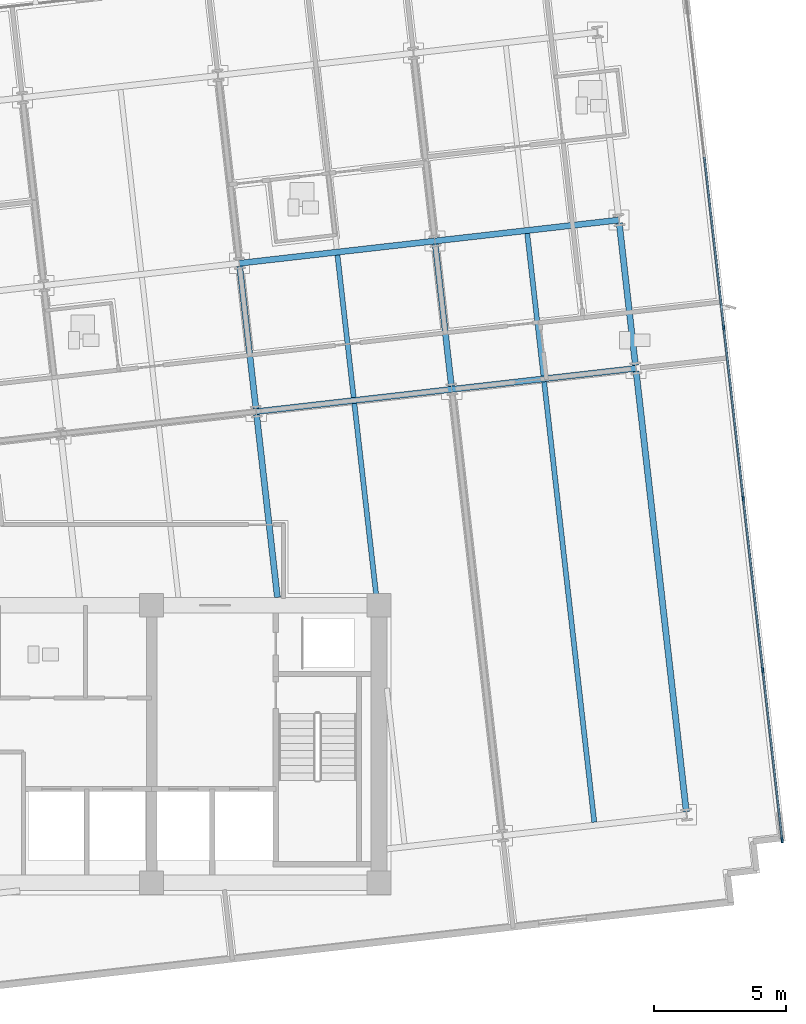
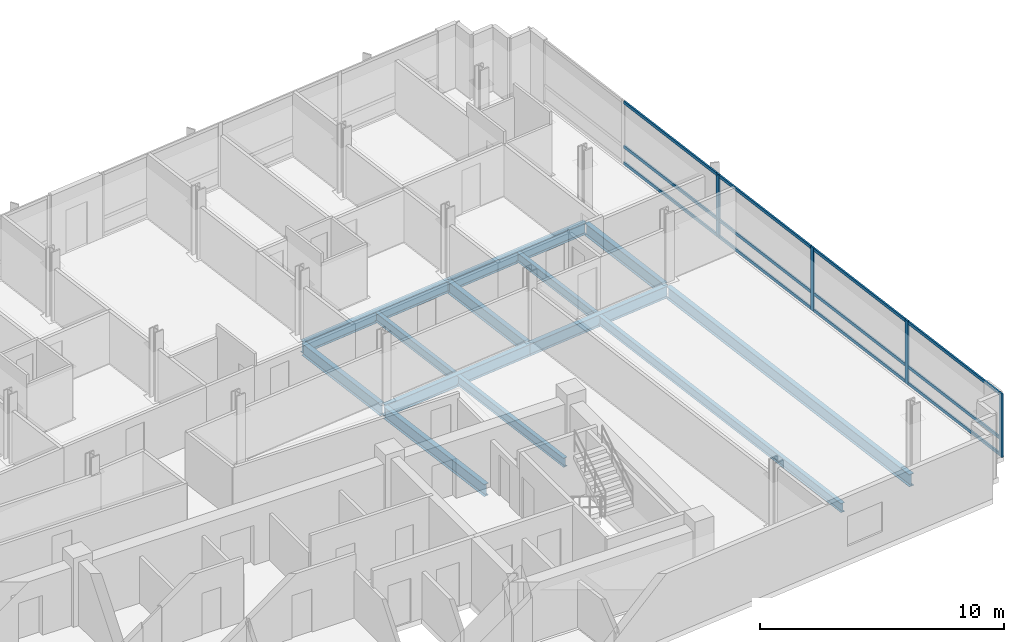
# One storey, part 4 of 17: 16 members, 13 beams, 1 element without a shape of its own.
"""IFC4 building model written with IfcOpenShell, lengths in metres."""

import ifcopenshell
import ifcopenshell.guid

model = None  # the IFC model being written
_history = None  # IfcOwnerHistory: only IFC2X3 demands one
_inside = {}  # id of a spatial element -> (the spatial element, [elements in it])
_under = {}  # id of a project, library or spatial element -> (it, [spatial elements below it])
_declared = {}  # id of a project -> (the project, [libraries it declares])
_typed = {}  # id of a type object -> (the type object, [elements of that type])
_made_of = {}  # id of a material, layer set ... -> (it, [elements and type objects made of it])


def new_model(schema):
    """Start an empty IFC model of exactly this schema.

    Asked for "IFC4X3", IfcOpenShell would pick the latest addendum, in which some entities
    have other attributes; the version numbers below select the first issue.
    IFC2X3 requires an IfcOwnerHistory on every rooted entity: one is made here for all.
    """
    global model, _history
    if schema == "IFC4X3":
        model = ifcopenshell.file(schema_version=(4, 3, 0, 0))
    else:
        model = ifcopenshell.file(schema=schema)
    _inside.clear()
    _under.clear()
    _declared.clear()
    _typed.clear()
    _made_of.clear()
    _history = None
    if model.schema == "IFC2X3":
        org = make("IfcOrganization", Name="unknown")
        user = make(
            "IfcPersonAndOrganization",
            ThePerson=make("IfcPerson", FamilyName="unknown"),
            TheOrganization=org,
        )
        app = make(
            "IfcApplication",
            ApplicationDeveloper=org,
            Version="unknown",
            ApplicationFullName="unknown",
            ApplicationIdentifier="unknown",
        )
        _history = make(
            "IfcOwnerHistory",
            OwningUser=user,
            OwningApplication=app,
            ChangeAction="ADDED",
            CreationDate=0,
        )
    return model


def make(cls, **values):
    """One entity of the class cls with the attributes given. An attribute that is None is left unset."""
    return model.create_entity(
        cls, **{name: value for name, value in values.items() if value is not None}
    )


def rooted(cls, **values):
    """An entity with a GlobalId (a new one), such as an element, a storey or a relation."""
    return make(cls, GlobalId=ifcopenshell.guid.new(), OwnerHistory=_history, **values)


def si_unit(unit_type, name, prefix=None):
    """IfcSIUnit, for example si_unit("LENGTHUNIT", "METRE", prefix="MILLI")."""
    return make("IfcSIUnit", UnitType=unit_type, Prefix=prefix, Name=name)


def assignment(units):
    """IfcUnitAssignment: the units of a project."""
    return None if units is None else make("IfcUnitAssignment", Units=units)


def point(xyz):
    """IfcCartesianPoint."""
    return None if xyz is None else make("IfcCartesianPoint", Coordinates=xyz)


def direction(xyz):
    """IfcDirection."""
    return None if xyz is None else make("IfcDirection", DirectionRatios=xyz)


def frame(location, z_axis=None, x_axis=None):
    """IfcAxis2Placement3D, a coordinate frame: its origin and axes. An axis left out is left unset."""
    return make(
        "IfcAxis2Placement3D",
        Location=point(location),
        Axis=direction(z_axis),
        RefDirection=direction(x_axis),
    )


def frame_2d(location, x_axis=None):
    """IfcAxis2Placement2D, a coordinate frame in the plane: its origin and x axis."""
    return make(
        "IfcAxis2Placement2D", Location=point(location), RefDirection=direction(x_axis)
    )


def origin():
    """The frame at (0, 0, 0) with its axes left unset."""
    return frame((0.0, 0.0, 0.0))


def origin_2d():
    """The frame at (0, 0) in the plane with its x axis left unset."""
    return frame_2d((0.0, 0.0))


def place(relative_to, where):
    """IfcLocalPlacement: puts the frame where relative to a parent placement (None: the world)."""
    return make(
        "IfcLocalPlacement", PlacementRelTo=relative_to, RelativePlacement=where
    )


def context(
    kind, dimensions, precision=None, world=None, true_north=None, identifier=None
):
    """IfcGeometricRepresentationContext, for example the 3D "Model" context."""
    return make(
        "IfcGeometricRepresentationContext",
        ContextIdentifier=identifier,
        ContextType=kind,
        CoordinateSpaceDimension=dimensions,
        Precision=precision,
        WorldCoordinateSystem=world,
        TrueNorth=true_north,
    )


def subcontext(parent, identifier, kind, view, scale=None):
    """IfcGeometricRepresentationSubContext, for example "Body" below "Model"."""
    return make(
        "IfcGeometricRepresentationSubContext",
        ContextIdentifier=identifier,
        ContextType=kind,
        ParentContext=parent,
        TargetScale=scale,
        TargetView=view,
    )


def project(units=None, contexts=None):
    """IfcProject with its units and contexts."""
    return rooted(
        "IfcProject",
        Name="project",
        RepresentationContexts=contexts,
        UnitsInContext=assignment(units),
    )


def spatial(cls, under=None, at=None, **own):
    """A site, building, storey or space (cls), placed at a placement, below another one or the project."""
    s = rooted(cls, ObjectPlacement=at, **own)
    if under is not None:
        _under.setdefault(under.id(), (under, []))[1].append(s)
    return s


def profile(cls, at=None, kind="AREA", **sizes):
    """A parametric profile (cls). Its sizes go by their IFC names, for example OverallWidth=200.0."""
    return make(cls, ProfileType=kind, Position=at, **sizes)


def rectangle(**sizes):
    """IfcRectangleProfileDef."""
    return profile("IfcRectangleProfileDef", **sizes)


def i_section(**sizes):
    """IfcIShapeProfileDef."""
    return profile("IfcIShapeProfileDef", **sizes)


def extrude(swept, where, along, depth):
    """IfcExtrudedAreaSolid: the profile swept, set in the frame where, extruded along a direction by depth."""
    return make(
        "IfcExtrudedAreaSolid",
        SweptArea=swept,
        Position=where,
        ExtrudedDirection=direction(along),
        Depth=depth,
    )


def shape(context_of_items, identifier, shape_type, items):
    """IfcShapeRepresentation: the items that make up one representation, for example the "Body"."""
    return make(
        "IfcShapeRepresentation",
        ContextOfItems=context_of_items,
        RepresentationIdentifier=identifier,
        RepresentationType=shape_type,
        Items=items,
    )


def material(Name=None, Category=None):
    """IfcMaterial."""
    return make("IfcMaterial", Name=Name, Category=Category)


def material_profile(
    of_material, cross_section, Name=None, Category=None, Priority=None
):
    """IfcMaterialProfile: a cross section and its material."""
    return make(
        "IfcMaterialProfile",
        Name=Name,
        Material=of_material,
        Profile=cross_section,
        Priority=Priority,
        Category=Category,
    )


def profile_set(profiles, Name=None, composite=None):
    """IfcMaterialProfileSet."""
    return make(
        "IfcMaterialProfileSet",
        Name=Name,
        MaterialProfiles=profiles,
        CompositeProfile=composite,
    )


def made_of(thing, what):
    """Note that an element or type object is made of a material, layer set ...; save() writes the relation."""
    if what is not None:
        _made_of.setdefault(what.id(), (what, []))[1].append(thing)
    return thing


def type_object(cls, material=None, **own):
    """A type object (cls), such as IfcWallType, which elements share."""
    return made_of(rooted(cls, **own), material)


def element(
    cls,
    number,
    at=None,
    inside=None,
    cuts=None,
    type_object=None,
    material=None,
    context=None,
    identifier="Body",
    shape_type=None,
    held_by="IfcProductDefinitionShape",
    body=None,
    shapes=None,
    **own,
):
    """One element of the class cls, such as IfcWall. Its Tag is "e" and its number.

    at: its placement. inside: the storey or other place that contains it. cuts: it is an
    opening in that element (IfcRelVoidsElement). A single representation is given by context,
    identifier, shape_type and body (its items); several are given by shapes. held_by: the class
    of the entity that holds the representations. save() writes the other relations.
    """
    e = rooted(cls, Tag="e%d" % number, ObjectPlacement=at, **own)
    if body is not None:
        shapes = [shape(context, identifier, shape_type, body)]
    if shapes is not None:
        e.Representation = make(held_by, Representations=shapes)
    if inside is not None:
        _inside.setdefault(inside.id(), (inside, []))[1].append(e)
    if cuts is not None:
        rooted(
            "IfcRelVoidsElement", RelatingBuildingElement=cuts, RelatedOpeningElement=e
        )
    if type_object is not None:
        _typed.setdefault(type_object.id(), (type_object, []))[1].append(e)
    return made_of(e, material)


def aggregate(whole, parts):
    """IfcRelAggregates: a whole, such as a stair, and the parts it consists of."""
    return rooted("IfcRelAggregates", RelatingObject=whole, RelatedObjects=parts)


def save(model, path):
    """Write the relations noted so far, then the file.

    IfcRelAggregates (storeys below a building ...), IfcRelContainedInSpatialStructure (elements
    in a storey), IfcRelDefinesByType, IfcRelAssociatesMaterial and IfcRelDeclares: one each for
    every whole, place, type object, material and project.
    """
    for whole, parts in _under.values():
        aggregate(whole, parts)
    for where, things in _inside.values():
        rooted(
            "IfcRelContainedInSpatialStructure",
            RelatedElements=things,
            RelatingStructure=where,
        )
    for kind, things in _typed.values():
        rooted("IfcRelDefinesByType", RelatedObjects=things, RelatingType=kind)
    for what, things in _made_of.values():
        rooted("IfcRelAssociatesMaterial", RelatedObjects=things, RelatingMaterial=what)
    for by, libraries in _declared.values():
        rooted("IfcRelDeclares", RelatingContext=by, RelatedDefinitions=libraries)
    model.write(path)


model = new_model("IFC4")

# Units and contexts
model_context = context("Model", 3, precision=1e-05, world=origin(), true_north=direction((0.0, 1.0)))
body_context = subcontext(model_context, "Body", "Model", "MODEL_VIEW")
ifc_project = project(units=[si_unit("LENGTHUNIT", "METRE"), si_unit("AREAUNIT", "SQUARE_METRE"), si_unit("VOLUMEUNIT", "CUBIC_METRE"), si_unit("PLANEANGLEUNIT", "RADIAN"), si_unit("MASSUNIT", "GRAM", prefix="KILO")], contexts=[model_context])

# Site, building, storey
site_placement = place(None, origin())
site = spatial("IfcSite", under=ifc_project, at=site_placement, CompositionType="ELEMENT")
building_placement = place(site_placement, origin())
building = spatial("IfcBuilding", under=site, at=building_placement, Name="Solmavex Isthmus Hotel", CompositionType="ELEMENT")
storey_placement = place(building_placement, frame((0.0, 0.0, 198.60009765625)))
storey = spatial("IfcBuildingStorey", under=building, at=storey_placement, Name="L53", CompositionType="ELEMENT", Elevation=198.60009765625)

# Beams
ifc_material_1 = material(Name="Steel ASTM A992 Grade 50", Category="steel")
ifc_material_profile_1 = material_profile(ifc_material_1, i_section(OverallWidth=0.1904296875, OverallDepth=0.456787109375, WebThickness=0.009033203125, FlangeThickness=0.014404296875, FilletRadius=0.0126953125, at=origin_2d()), Name="W18X50")
ifc_profile_set_1 = profile_set([ifc_material_profile_1], Name="Steel ASTM A992 Grade 50")
beam_type_1 = type_object("IfcBeamType", Name="BM-BJ-W18X50", PredefinedType="JOIST", material=ifc_profile_set_1)
beam_1_placement = place(storey_placement, frame((15.908447265625, -2.199951171875, -0.488525390625), z_axis=(-0.113224925382, 0.99356938171, 0.0), x_axis=(-0.99356938171, -0.113224925382, 0.0)))
element("IfcBeam", 1, at=beam_1_placement, inside=storey, type_object=beam_type_1, Name="Secondary Floor Joist L53-J16", PredefinedType="JOIST", context=body_context, shape_type="SweptSolid", body=[
    extrude(i_section(OverallWidth=0.1904296875, OverallDepth=0.456787109375, WebThickness=0.009033203125, FlangeThickness=0.014404296875, FilletRadius=0.0126953125, at=origin_2d()), origin(), (0.0, 0.0, 1.0), 7.38525390625),
])
beam_2_placement = place(storey_placement, frame((15.046630859375, 5.364013671875, -0.488525390625), z_axis=(-0.113189626161, 0.993573403695, 0.0), x_axis=(-0.993573403695, -0.113189626161, 0.0)))
element("IfcBeam", 2, at=beam_2_placement, inside=storey, type_object=beam_type_1, Name="Secondary Floor Joist L53-J17", PredefinedType="JOIST", context=body_context, shape_type="SweptSolid", body=[
    extrude(i_section(OverallWidth=0.1904296875, OverallDepth=0.456787109375, WebThickness=0.009033203125, FlangeThickness=0.014404296875, FilletRadius=0.0126953125, at=origin_2d()), origin(), (0.0, 0.0, 1.0), 5.42041015625),
])
beam_3_placement = place(storey_placement, frame((24.1513671875, -10.707275390625, -0.488525390625), z_axis=(-0.113198426291, 0.993572401129, 0.0), x_axis=(-0.993572401129, -0.113198426291, 0.0)))
element("IfcBeam", 3, at=beam_3_placement, inside=storey, type_object=beam_type_1, Name="Secondary Floor Joist L53-J19", PredefinedType="JOIST", context=body_context, shape_type="SweptSolid", body=[
    extrude(i_section(OverallWidth=0.1904296875, OverallDepth=0.456787109375, WebThickness=0.009033203125, FlangeThickness=0.014404296875, FilletRadius=0.0126953125, at=origin_2d()), origin(), (0.0, 0.0, 1.0), 16.77099609375),
])
beam_4_placement = place(storey_placement, frame((22.22705078125, 6.18212890625, -0.488525390625), z_axis=(-0.113189626161, 0.993573403695, 0.0), x_axis=(-0.993573403695, -0.113189626161, 0.0)))
element("IfcBeam", 4, at=beam_4_placement, inside=storey, type_object=beam_type_1, Name="Secondary Floor Joist L53-J20", PredefinedType="JOIST", context=body_context, shape_type="SweptSolid", body=[
    extrude(i_section(OverallWidth=0.1904296875, OverallDepth=0.456787109375, WebThickness=0.009033203125, FlangeThickness=0.014404296875, FilletRadius=0.0126953125, at=origin_2d()), origin(), (0.0, 0.0, 1.0), 5.42041015625),
])
ifc_material_profile_2 = material_profile(ifc_material_1, i_section(OverallWidth=0.227783203125, OverallDepth=0.602783203125, WebThickness=0.010498046875, FlangeThickness=0.014892578125, FilletRadius=0.01513671875, at=origin_2d()), Name="W24X68")
ifc_profile_set_2 = profile_set([ifc_material_profile_2], Name="Steel ASTM A992 Grade 50")
beam_type_2 = type_object("IfcBeamType", Name="BM-BM-W24X68", PredefinedType="BEAM", material=ifc_profile_set_2)
beam_5_placement = place(storey_placement, frame((11.3603515625, 4.829345703125, -0.5615234375), z_axis=(0.9935703463, 0.113216460607, 0.0), x_axis=(-0.113216460607, 0.9935703463, 0.0)))
element("IfcBeam", 5, at=beam_5_placement, inside=storey, type_object=beam_type_2, Name="Floor Girder L53-UG10", PredefinedType="BEAM", context=body_context, shape_type="SweptSolid", body=[
    extrude(i_section(OverallWidth=0.227783203125, OverallDepth=0.602783203125, WebThickness=0.010498046875, FlangeThickness=0.014892578125, FilletRadius=0.01513671875, at=origin_2d()), origin(), (0.0, 0.0, 1.0), 7.446044921875),
])
beam_6_placement = place(storey_placement, frame((18.758544921875, 5.67236328125, -0.5615234375), z_axis=(0.99357359356, 0.113187959519, 0.0), x_axis=(-0.113187959519, 0.99357359356, 0.0)))
element("IfcBeam", 6, at=beam_6_placement, inside=storey, type_object=beam_type_2, Name="Floor Girder L53-UG11", PredefinedType="BEAM", context=body_context, shape_type="SweptSolid", body=[
    extrude(i_section(OverallWidth=0.227783203125, OverallDepth=0.602783203125, WebThickness=0.010498046875, FlangeThickness=0.014892578125, FilletRadius=0.01513671875, at=origin_2d()), origin(), (0.0, 0.0, 1.0), 7.0078125),
])
beam_7_placement = place(storey_placement, frame((10.720947265625, 10.441162109375, -0.5615234375), z_axis=(0.993574034044, 0.113184092846, 0.0), x_axis=(-0.113184092846, 0.993574034044, 0.0)))
element("IfcBeam", 7, at=beam_7_placement, inside=storey, type_object=beam_type_2, Name="Floor Girder L53-UG16", PredefinedType="BEAM", context=body_context, shape_type="SweptSolid", body=[
    extrude(i_section(OverallWidth=0.227783203125, OverallDepth=0.602783203125, WebThickness=0.010498046875, FlangeThickness=0.014892578125, FilletRadius=0.01513671875, at=origin_2d()), origin(), (0.0, 0.0, 1.0), 7.446044921875),
])
beam_8_placement = place(storey_placement, frame((18.119140625, 11.283935546875, -0.5615234375), z_axis=(0.993569675103, 0.113222350774, 0.0), x_axis=(-0.113222350774, 0.993569675103, 0.0)))
element("IfcBeam", 8, at=beam_8_placement, inside=storey, type_object=beam_type_2, Name="Floor Girder L53-UG17", PredefinedType="BEAM", context=body_context, shape_type="SweptSolid", body=[
    extrude(i_section(OverallWidth=0.227783203125, OverallDepth=0.602783203125, WebThickness=0.010498046875, FlangeThickness=0.014892578125, FilletRadius=0.01513671875, at=origin_2d()), origin(), (0.0, 0.0, 1.0), 7.008056640625),
])
beam_9_placement = place(storey_placement, frame((12.161376953125, -2.199951171875, -0.5615234375), z_axis=(-0.113214229187, 0.993570600566, 0.0), x_axis=(-0.993570600566, -0.113214229187, 0.0)))
element("IfcBeam", 9, at=beam_9_placement, inside=storey, type_object=beam_type_2, Name="Floor Beam L53-VG37", PredefinedType="BEAM", context=body_context, shape_type="SweptSolid", body=[
    extrude(i_section(OverallWidth=0.227783203125, OverallDepth=0.602783203125, WebThickness=0.010498046875, FlangeThickness=0.014892578125, FilletRadius=0.01513671875, at=origin_2d()), origin(), (0.0, 0.0, 1.0), 6.9609375),
])
beam_10_placement = place(storey_placement, frame((11.347412109375, 4.942626953125, -0.5615234375), z_axis=(-0.113194691868, 0.993572826587, 0.0), x_axis=(-0.993572826587, -0.113194691868, 0.0)))
element("IfcBeam", 10, at=beam_10_placement, inside=storey, type_object=beam_type_2, Name="Floor Beam L53-VG38", PredefinedType="BEAM", context=body_context, shape_type="SweptSolid", body=[
    extrude(i_section(OverallWidth=0.227783203125, OverallDepth=0.602783203125, WebThickness=0.010498046875, FlangeThickness=0.014892578125, FilletRadius=0.01513671875, at=origin_2d()), origin(), (0.0, 0.0, 1.0), 5.420166015625),
])
beam_11_placement = place(storey_placement, frame((18.74560546875, 5.785400390625, -0.5615234375), z_axis=(-0.113189626161, 0.993573403695, 0.0), x_axis=(-0.993573403695, -0.113189626161, 0.0)))
element("IfcBeam", 11, at=beam_11_placement, inside=storey, type_object=beam_type_2, Name="Floor Beam L53-VG41", PredefinedType="BEAM", context=body_context, shape_type="SweptSolid", body=[
    extrude(i_section(OverallWidth=0.227783203125, OverallDepth=0.602783203125, WebThickness=0.010498046875, FlangeThickness=0.014892578125, FilletRadius=0.01513671875, at=origin_2d()), origin(), (0.0, 0.0, 1.0), 5.42041015625),
])
ifc_material_profile_3 = material_profile(ifc_material_1, i_section(OverallWidth=0.230224609375, OverallDepth=0.617431640625, WebThickness=0.01318359375, FlangeThickness=0.022216796875, FilletRadius=0.01513671875, at=origin_2d()), Name="W24X94")
ifc_profile_set_3 = profile_set([ifc_material_profile_3], Name="Steel ASTM A992 Grade 50")
beam_type_3 = type_object("IfcBeamType", Name="BM-SP-W24X94", PredefinedType="SPANDREL", material=ifc_profile_set_3)
beam_12_placement = place(storey_placement, frame((27.6328125, -10.310546875, -0.56884765625), z_axis=(-0.113198426291, 0.993572401129, 0.0), x_axis=(-0.993572401129, -0.113198426291, 0.0)))
element("IfcBeam", 12, at=beam_12_placement, inside=storey, type_object=beam_type_3, Name="Floor Beam L53-VG43", PredefinedType="SPANDREL", context=body_context, shape_type="SweptSolid", body=[
    extrude(i_section(OverallWidth=0.230224609375, OverallDepth=0.617431640625, WebThickness=0.01318359375, FlangeThickness=0.022216796875, FilletRadius=0.01513671875, at=origin_2d()), origin(), (0.0, 0.0, 1.0), 16.77099609375),
])
beam_13_placement = place(storey_placement, frame((25.70849609375, 6.578857421875, -0.56884765625), z_axis=(-0.113194691868, 0.993572826587, 0.0), x_axis=(-0.993572826587, -0.113194691868, 0.0)))
element("IfcBeam", 13, at=beam_13_placement, inside=storey, type_object=beam_type_3, Name="Floor Beam L53-VG44", PredefinedType="SPANDREL", context=body_context, shape_type="SweptSolid", body=[
    extrude(i_section(OverallWidth=0.230224609375, OverallDepth=0.617431640625, WebThickness=0.01318359375, FlangeThickness=0.022216796875, FilletRadius=0.01513671875, at=origin_2d()), origin(), (0.0, 0.0, 1.0), 5.420166015625),
])

# Curtain wall, members
ifc_material_2 = material(Name="Aluminium alloy 6063-T6", Category="aluminium")
curtain_wall_type = type_object("IfcCurtainWallType", Name="CW-SYS-04", PredefinedType="NOTDEFINED", material=ifc_material_2)
curtain_wall_placement = place(storey_placement, origin())
curtain_wall = element("IfcCurtainWall", 14, at=curtain_wall_placement, inside=storey, type_object=curtain_wall_type, Name="Stick Curtain Wall CWL-L53-E1", PredefinedType="NOTDEFINED")
ifc_material_profile_4 = material_profile(ifc_material_2, rectangle(XDim=0.074951171875, YDim=0.199951171875, at=origin_2d()), Name="CWM-75X200")
ifc_profile_set_4 = profile_set([ifc_material_profile_4], Name="Aluminium alloy 6063-T6")
member_type_1 = type_object("IfcMemberType", Name="CW-SYS-04-MUL", PredefinedType="MULLION", material=ifc_profile_set_4)
member_1_placement = place(storey_placement, frame((31.2578125, -11.384765625, 0.0), z_axis=(0.0, 0.0, 1.0), x_axis=(-0.993571836648, -0.11320338078, 0.0)))
member_1 = element("IfcMember", 15, at=member_1_placement, type_object=member_type_1, Name="CW-04 mullion 1", PredefinedType="MULLION", context=body_context, shape_type="SweptSolid", body=[
    extrude(rectangle(XDim=0.074951171875, YDim=0.199951171875, at=origin_2d()), origin(), (0.0, 0.0, 1.0), 3.18994140625),
])
member_2_placement = place(storey_placement, frame((30.52392578125, -4.944091796875, 0.0), z_axis=(0.0, 0.0, 1.0), x_axis=(-0.993571836648, -0.11320338078, 0.0)))
member_2 = element("IfcMember", 16, at=member_2_placement, type_object=member_type_1, Name="CW-04 mullion 2", PredefinedType="MULLION", context=body_context, shape_type="SweptSolid", body=[
    extrude(rectangle(XDim=0.074951171875, YDim=0.199951171875, at=origin_2d()), origin(), (0.0, 0.0, 1.0), 3.18994140625),
])
member_3_placement = place(storey_placement, frame((29.785888671875, 1.533935546875, 0.0), z_axis=(0.0, 0.0, 1.0), x_axis=(-0.993571836648, -0.11320338078, 0.0)))
member_3 = element("IfcMember", 17, at=member_3_placement, type_object=member_type_1, Name="CW-04 mullion 3", PredefinedType="MULLION", context=body_context, shape_type="SweptSolid", body=[
    extrude(rectangle(XDim=0.074951171875, YDim=0.199951171875, at=origin_2d()), origin(), (0.0, 0.0, 1.0), 3.18994140625),
])
member_4_placement = place(storey_placement, frame((29.0478515625, 8.01220703125, 0.0), z_axis=(0.0, 0.0, 1.0), x_axis=(-0.993571836648, -0.11320338078, 0.0)))
member_4 = element("IfcMember", 18, at=member_4_placement, type_object=member_type_1, Name="CW-04 mullion 4", PredefinedType="MULLION", context=body_context, shape_type="SweptSolid", body=[
    extrude(rectangle(XDim=0.074951171875, YDim=0.199951171875, at=origin_2d()), origin(), (0.0, 0.0, 1.0), 3.18994140625),
])
ifc_material_profile_5 = material_profile(ifc_material_2, rectangle(XDim=0.074951171875, YDim=0.14990234375, at=origin_2d()), Name="CWT-75X150")
ifc_profile_set_5 = profile_set([ifc_material_profile_5], Name="Aluminium alloy 6063-T6")
member_type_2 = type_object("IfcMemberType", Name="CW-SYS-04-TRN", PredefinedType="USERDEFINED", material=ifc_profile_set_5)
member_5_placement = place(storey_placement, frame((31.253662109375, -11.34765625, 0.074951171875), z_axis=(-0.113199495412, 0.993572279323, 0.0), x_axis=(-0.993572279323, -0.113199495412, 0.0)))
member_5 = element("IfcMember", 19, at=member_5_placement, type_object=member_type_2, Name="CW-04 transom 1.1", ObjectType="TRANSOM", PredefinedType="USERDEFINED", context=body_context, shape_type="SweptSolid", body=[
    extrude(rectangle(XDim=0.074951171875, YDim=0.14990234375, at=origin_2d()), origin(), (0.0, 0.0, 1.0), 6.40771484375),
])
member_6_placement = place(storey_placement, frame((31.253662109375, -11.34765625, 0.89990234375), z_axis=(-0.113199495412, 0.993572279323, 0.0), x_axis=(-0.993572279323, -0.113199495412, 0.0)))
member_6 = element("IfcMember", 20, at=member_6_placement, type_object=member_type_2, Name="CW-04 transom 1.2", ObjectType="TRANSOM", PredefinedType="USERDEFINED", context=body_context, shape_type="SweptSolid", body=[
    extrude(rectangle(XDim=0.074951171875, YDim=0.14990234375, at=origin_2d()), origin(), (0.0, 0.0, 1.0), 6.40771484375),
])
member_7_placement = place(storey_placement, frame((31.253662109375, -11.34765625, 3.114990234375), z_axis=(-0.113199495412, 0.993572279323, 0.0), x_axis=(-0.993572279323, -0.113199495412, 0.0)))
member_7 = element("IfcMember", 21, at=member_7_placement, type_object=member_type_2, Name="CW-04 transom 1.3", ObjectType="TRANSOM", PredefinedType="USERDEFINED", context=body_context, shape_type="SweptSolid", body=[
    extrude(rectangle(XDim=0.074951171875, YDim=0.14990234375, at=origin_2d()), origin(), (0.0, 0.0, 1.0), 6.40771484375),
])
member_8_placement = place(storey_placement, frame((30.519775390625, -4.90673828125, 0.074951171875), z_axis=(-0.113225012477, 0.993569371785, 0.0), x_axis=(-0.993569371785, -0.113225012477, 0.0)))
member_8 = element("IfcMember", 22, at=member_8_placement, type_object=member_type_2, Name="CW-04 transom 2.1", ObjectType="TRANSOM", PredefinedType="USERDEFINED", context=body_context, shape_type="SweptSolid", body=[
    extrude(rectangle(XDim=0.074951171875, YDim=0.14990234375, at=origin_2d()), origin(), (0.0, 0.0, 1.0), 6.445068359375),
])
member_9_placement = place(storey_placement, frame((30.519775390625, -4.90673828125, 0.89990234375), z_axis=(-0.113225012477, 0.993569371785, 0.0), x_axis=(-0.993569371785, -0.113225012477, 0.0)))
member_9 = element("IfcMember", 23, at=member_9_placement, type_object=member_type_2, Name="CW-04 transom 2.2", ObjectType="TRANSOM", PredefinedType="USERDEFINED", context=body_context, shape_type="SweptSolid", body=[
    extrude(rectangle(XDim=0.074951171875, YDim=0.14990234375, at=origin_2d()), origin(), (0.0, 0.0, 1.0), 6.445068359375),
])
member_10_placement = place(storey_placement, frame((30.519775390625, -4.90673828125, 3.114990234375), z_axis=(-0.113225012477, 0.993569371785, 0.0), x_axis=(-0.993569371785, -0.113225012477, 0.0)))
member_10 = element("IfcMember", 24, at=member_10_placement, type_object=member_type_2, Name="CW-04 transom 2.3", ObjectType="TRANSOM", PredefinedType="USERDEFINED", context=body_context, shape_type="SweptSolid", body=[
    extrude(rectangle(XDim=0.074951171875, YDim=0.14990234375, at=origin_2d()), origin(), (0.0, 0.0, 1.0), 6.445068359375),
])
member_11_placement = place(storey_placement, frame((29.78173828125, 1.5712890625, 0.074951171875), z_axis=(-0.113225012477, 0.993569371785, 0.0), x_axis=(-0.993569371785, -0.113225012477, 0.0)))
member_11 = element("IfcMember", 25, at=member_11_placement, type_object=member_type_2, Name="CW-04 transom 3.1", ObjectType="TRANSOM", PredefinedType="USERDEFINED", context=body_context, shape_type="SweptSolid", body=[
    extrude(rectangle(XDim=0.074951171875, YDim=0.14990234375, at=origin_2d()), origin(), (0.0, 0.0, 1.0), 6.445068359375),
])
member_12_placement = place(storey_placement, frame((29.78173828125, 1.5712890625, 0.89990234375), z_axis=(-0.113225012477, 0.993569371785, 0.0), x_axis=(-0.993569371785, -0.113225012477, 0.0)))
member_12 = element("IfcMember", 26, at=member_12_placement, type_object=member_type_2, Name="CW-04 transom 3.2", ObjectType="TRANSOM", PredefinedType="USERDEFINED", context=body_context, shape_type="SweptSolid", body=[
    extrude(rectangle(XDim=0.074951171875, YDim=0.14990234375, at=origin_2d()), origin(), (0.0, 0.0, 1.0), 6.445068359375),
])
member_13_placement = place(storey_placement, frame((29.78173828125, 1.5712890625, 3.114990234375), z_axis=(-0.113225012477, 0.993569371785, 0.0), x_axis=(-0.993569371785, -0.113225012477, 0.0)))
member_13 = element("IfcMember", 27, at=member_13_placement, type_object=member_type_2, Name="CW-04 transom 3.3", ObjectType="TRANSOM", PredefinedType="USERDEFINED", context=body_context, shape_type="SweptSolid", body=[
    extrude(rectangle(XDim=0.074951171875, YDim=0.14990234375, at=origin_2d()), origin(), (0.0, 0.0, 1.0), 6.445068359375),
])
member_14_placement = place(storey_placement, frame((29.04345703125, 8.04931640625, 0.074951171875), z_axis=(-0.113187617296, 0.993573632546, 0.0), x_axis=(-0.993573632546, -0.113187617296, 0.0)))
member_14 = element("IfcMember", 28, at=member_14_placement, type_object=member_type_2, Name="CW-04 transom 4.1", ObjectType="TRANSOM", PredefinedType="USERDEFINED", context=body_context, shape_type="SweptSolid", body=[
    extrude(rectangle(XDim=0.074951171875, YDim=0.14990234375, at=origin_2d()), origin(), (0.0, 0.0, 1.0), 6.445068359375),
])
member_15_placement = place(storey_placement, frame((29.04345703125, 8.04931640625, 0.89990234375), z_axis=(-0.113187617296, 0.993573632546, 0.0), x_axis=(-0.993573632546, -0.113187617296, 0.0)))
member_15 = element("IfcMember", 29, at=member_15_placement, type_object=member_type_2, Name="CW-04 transom 4.2", ObjectType="TRANSOM", PredefinedType="USERDEFINED", context=body_context, shape_type="SweptSolid", body=[
    extrude(rectangle(XDim=0.074951171875, YDim=0.14990234375, at=origin_2d()), origin(), (0.0, 0.0, 1.0), 6.445068359375),
])
member_16_placement = place(storey_placement, frame((29.04345703125, 8.04931640625, 3.114990234375), z_axis=(-0.113187617296, 0.993573632546, 0.0), x_axis=(-0.993573632546, -0.113187617296, 0.0)))
member_16 = element("IfcMember", 30, at=member_16_placement, type_object=member_type_2, Name="CW-04 transom 4.3", ObjectType="TRANSOM", PredefinedType="USERDEFINED", context=body_context, shape_type="SweptSolid", body=[
    extrude(rectangle(XDim=0.074951171875, YDim=0.14990234375, at=origin_2d()), origin(), (0.0, 0.0, 1.0), 6.445068359375),
])
aggregate(curtain_wall, [member_1, member_2, member_3, member_4, member_5, member_6, member_7, member_8, member_9, member_10, member_11, member_12, member_13, member_14, member_15, member_16])

save(model, "model.ifc")
